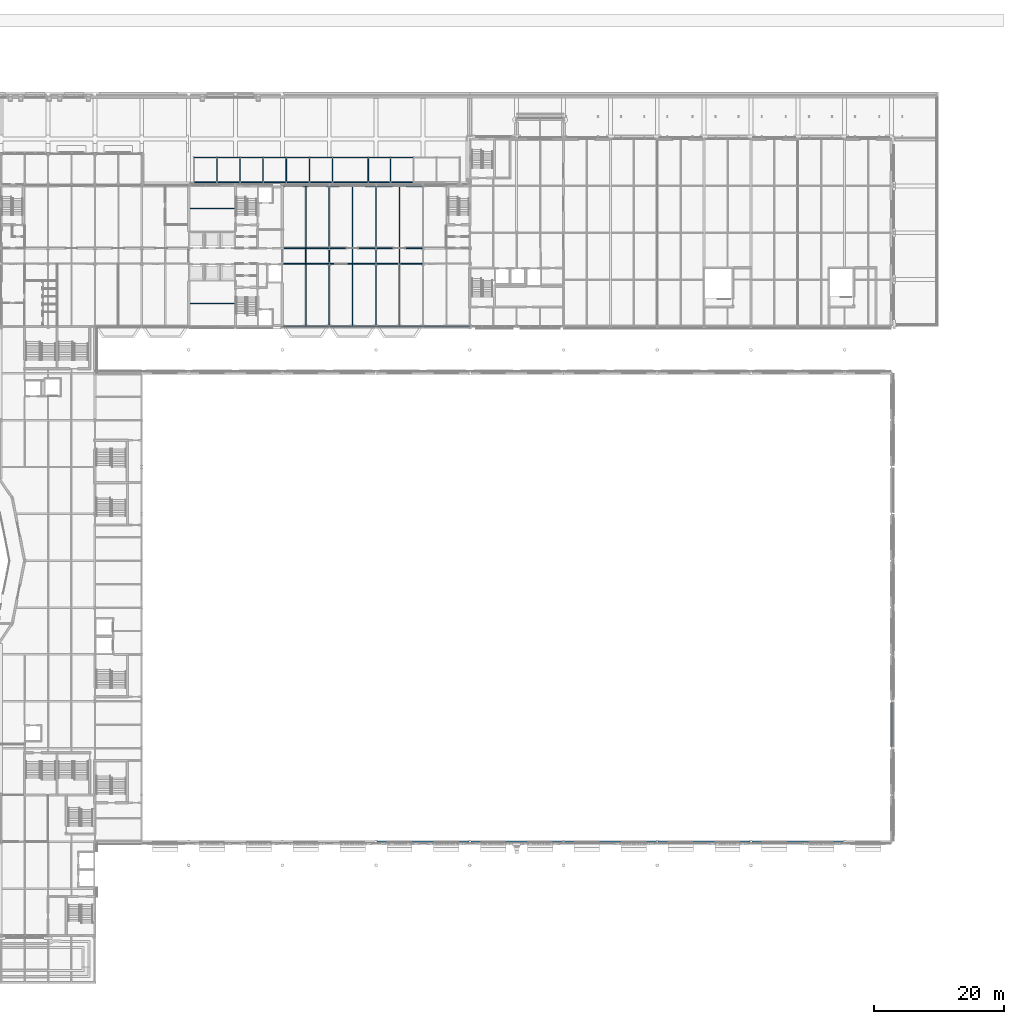
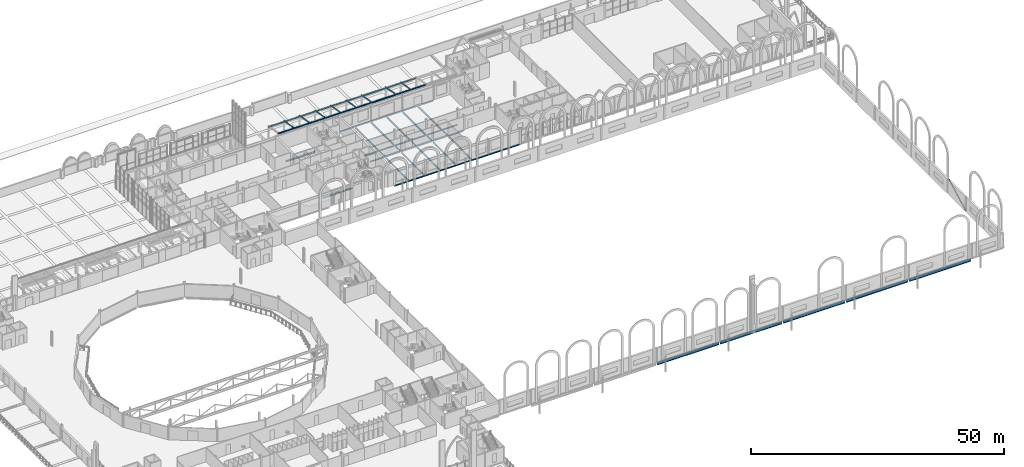
# One storey, part 54 of 143: 61 beams, 1 member.
"""IFC4 building model written with IfcOpenShell, lengths in metres."""

from ifc_helpers import new_model, si_unit, direction, frame, origin, origin_2d, place, context, subcontext, project, spatial, hollow_circle, i_section, extrude, material, material_profile, profile_set, type_object, element, save


model = new_model("IFC4")

# Units and contexts
model_context = context("Model", 3, precision=1e-05, world=origin(), true_north=direction((0.0, 1.0)))
body_context = subcontext(model_context, "Body", "Model", "MODEL_VIEW")
ifc_project = project(units=[si_unit("LENGTHUNIT", "METRE"), si_unit("AREAUNIT", "SQUARE_METRE"), si_unit("VOLUMEUNIT", "CUBIC_METRE"), si_unit("PLANEANGLEUNIT", "RADIAN"), si_unit("MASSUNIT", "GRAM", prefix="KILO")], contexts=[model_context])

# Site, building, storey
site_placement = place(None, origin())
site = spatial("IfcSite", under=ifc_project, at=site_placement, CompositionType="ELEMENT")
building_placement = place(site_placement, origin())
building = spatial("IfcBuilding", under=site, at=building_placement, Name="Kupolbacken Congress Centre", CompositionType="ELEMENT")
storey_placement = place(building_placement, frame((0.0, 0.0, 7.199951171875)))
storey = spatial("IfcBuildingStorey", under=building, at=storey_placement, Name="L02", CompositionType="ELEMENT", Elevation=7.199951171875)

# Beams
ifc_material_1 = material(Name="Steel S355", Category="steel")
ifc_material_profile_1 = material_profile(ifc_material_1, i_section(OverallWidth=0.10009765625, OverallDepth=0.199951171875, WebThickness=0.005615234375, FlangeThickness=0.008544921875, FilletRadius=0.011962890625, at=origin_2d()), Name="IPE 200")
ifc_profile_set_1 = profile_set([ifc_material_profile_1], Name="Steel S355")
beam_type_1 = type_object("IfcBeamType", Name="B01 beam IPE 200", PredefinedType="BEAM", material=ifc_profile_set_1)
beam_1_placement = place(storey_placement, frame((111.60009765625, 132.074951171875, -0.280029296875), z_axis=(0.0, 1.0, 0.0), x_axis=(-1.0, 0.0, 0.0)))
element("IfcBeam", 1, at=beam_1_placement, inside=storey, type_object=beam_type_1, Name="S/floor/T/L02/S056", PredefinedType="BEAM", context=body_context, shape_type="SweptSolid", body=[
    extrude(i_section(OverallWidth=0.10009765625, OverallDepth=0.199951171875, WebThickness=0.005615234375, FlangeThickness=0.008544921875, FilletRadius=0.011962890625, at=origin_2d()), origin(), (0.0, 0.0, 1.0), 2.25),
])
beam_2_placement = place(storey_placement, frame((115.199951171875, 132.21240234375, -0.280029296875), z_axis=(0.0, 1.0, 0.0), x_axis=(-1.0, 0.0, 0.0)))
element("IfcBeam", 2, at=beam_2_placement, inside=storey, type_object=beam_type_1, Name="S/floor/T/L02/S059", PredefinedType="BEAM", context=body_context, shape_type="SweptSolid", body=[
    extrude(i_section(OverallWidth=0.10009765625, OverallDepth=0.199951171875, WebThickness=0.005615234375, FlangeThickness=0.008544921875, FilletRadius=0.011962890625, at=origin_2d()), origin(), (0.0, 0.0, 1.0), 1.97509765625),
])
beam_3_placement = place(storey_placement, frame((118.800048828125, 132.074951171875, -0.280029296875), z_axis=(0.0, 1.0, 0.0), x_axis=(-1.0, 0.0, 0.0)))
element("IfcBeam", 3, at=beam_3_placement, inside=storey, type_object=beam_type_1, Name="S/floor/T/L02/S062", PredefinedType="BEAM", context=body_context, shape_type="SweptSolid", body=[
    extrude(i_section(OverallWidth=0.10009765625, OverallDepth=0.199951171875, WebThickness=0.005615234375, FlangeThickness=0.008544921875, FilletRadius=0.011962890625, at=origin_2d()), origin(), (0.0, 0.0, 1.0), 2.25),
])
beam_4_placement = place(storey_placement, frame((122.39990234375, 132.21240234375, -0.280029296875), z_axis=(0.0, 1.0, 0.0), x_axis=(-1.0, 0.0, 0.0)))
element("IfcBeam", 4, at=beam_4_placement, inside=storey, type_object=beam_type_1, Name="S/floor/T/L02/S065", PredefinedType="BEAM", context=body_context, shape_type="SweptSolid", body=[
    extrude(i_section(OverallWidth=0.10009765625, OverallDepth=0.199951171875, WebThickness=0.005615234375, FlangeThickness=0.008544921875, FilletRadius=0.011962890625, at=origin_2d()), origin(), (0.0, 0.0, 1.0), 1.97509765625),
])
beam_5_placement = place(storey_placement, frame((126.0, 132.074951171875, -0.280029296875), z_axis=(0.0, 1.0, 0.0), x_axis=(-1.0, 0.0, 0.0)))
element("IfcBeam", 5, at=beam_5_placement, inside=storey, type_object=beam_type_1, Name="S/floor/T/L02/S068", PredefinedType="BEAM", context=body_context, shape_type="SweptSolid", body=[
    extrude(i_section(OverallWidth=0.10009765625, OverallDepth=0.199951171875, WebThickness=0.005615234375, FlangeThickness=0.008544921875, FilletRadius=0.011962890625, at=origin_2d()), origin(), (0.0, 0.0, 1.0), 2.25),
])
for number, where, z_axis, x_axis, name in (
    (6, (94.39990234375, 144.550048828125, 3.68994140625), (1.0, 0.0, 0.0), (0.0, 1.0, 0.0), "Covered passage eaves beam"),
    (7, (94.39990234375, 148.35009765625, 2.989990234375), (1.0, 0.0, 0.0), (0.0, 1.0, 0.0), "Covered passage eaves beam"),
    (8, (97.949951171875, 144.550048828125, 3.68994140625), (1.0, 0.0, 0.0), (0.0, 1.0, 0.0), "Covered passage eaves beam"),
    (9, (97.949951171875, 148.35009765625, 2.989990234375), (1.0, 0.0, 0.0), (0.0, 1.0, 0.0), "Covered passage eaves beam"),
    (10, (101.5, 144.550048828125, 3.68994140625), (1.0, 0.0, 0.0), (0.0, 1.0, 0.0), "Covered passage eaves beam"),
    (11, (101.5, 148.35009765625, 2.989990234375), (1.0, 0.0, 0.0), (0.0, 1.0, 0.0), "Covered passage eaves beam"),
    (12, (105.050048828125, 144.550048828125, 3.68994140625), (1.0, 0.0, 0.0), (0.0, 1.0, 0.0), "Covered passage eaves beam"),
    (13, (105.050048828125, 148.35009765625, 2.989990234375), (1.0, 0.0, 0.0), (0.0, 1.0, 0.0), "Covered passage eaves beam"),
):
    element("IfcBeam", number, at=place(storey_placement, frame(where, z_axis=z_axis, x_axis=x_axis)), inside=storey, type_object=beam_type_1, Name=name, PredefinedType="BEAM", context=body_context, shape_type="SweptSolid", body=[
        extrude(i_section(OverallWidth=0.10009765625, OverallDepth=0.199951171875, WebThickness=0.005615234375, FlangeThickness=0.008544921875, FilletRadius=0.011962890625, at=origin_2d()), origin(), (0.0, 0.0, 1.0), 3.550048828125),
    ])
for number, where, z_axis, x_axis, name in (
    (14, (108.60009765625, 144.550048828125, 3.68994140625), (1.0, 0.0, 0.0), (0.0, 1.0, 0.0), "Covered passage eaves beam"),
    (15, (108.60009765625, 148.35009765625, 2.989990234375), (1.0, 0.0, 0.0), (0.0, 1.0, 0.0), "Covered passage eaves beam"),
):
    element("IfcBeam", number, at=place(storey_placement, frame(where, z_axis=z_axis, x_axis=x_axis)), inside=storey, type_object=beam_type_1, Name=name, PredefinedType="BEAM", context=body_context, shape_type="SweptSolid", body=[
        extrude(i_section(OverallWidth=0.10009765625, OverallDepth=0.199951171875, WebThickness=0.005615234375, FlangeThickness=0.008544921875, FilletRadius=0.011962890625, at=origin_2d()), origin(), (0.0, 0.0, 1.0), 3.5498046875),
    ])
for number, where, z_axis, x_axis, name in (
    (16, (112.14990234375, 144.550048828125, 3.68994140625), (1.0, 0.0, 0.0), (0.0, 1.0, 0.0), "Covered passage eaves beam"),
    (17, (112.14990234375, 148.35009765625, 2.989990234375), (1.0, 0.0, 0.0), (0.0, 1.0, 0.0), "Covered passage eaves beam"),
):
    element("IfcBeam", number, at=place(storey_placement, frame(where, z_axis=z_axis, x_axis=x_axis)), inside=storey, type_object=beam_type_1, Name=name, PredefinedType="BEAM", context=body_context, shape_type="SweptSolid", body=[
        extrude(i_section(OverallWidth=0.10009765625, OverallDepth=0.199951171875, WebThickness=0.005615234375, FlangeThickness=0.008544921875, FilletRadius=0.011962890625, at=origin_2d()), origin(), (0.0, 0.0, 1.0), 3.550048828125),
    ])
for number, where, z_axis, x_axis, name in (
    (18, (121.199951171875, 144.550048828125, 3.68994140625), (1.0, 0.0, 0.0), (0.0, 1.0, 0.0), "Covered passage eaves beam"),
    (19, (121.199951171875, 148.35009765625, 2.989990234375), (1.0, 0.0, 0.0), (0.0, 1.0, 0.0), "Covered passage eaves beam"),
):
    element("IfcBeam", number, at=place(storey_placement, frame(where, z_axis=z_axis, x_axis=x_axis)), inside=storey, type_object=beam_type_1, Name=name, PredefinedType="BEAM", context=body_context, shape_type="SweptSolid", body=[
        extrude(i_section(OverallWidth=0.10009765625, OverallDepth=0.199951171875, WebThickness=0.005615234375, FlangeThickness=0.008544921875, FilletRadius=0.011962890625, at=origin_2d()), origin(), (0.0, 0.0, 1.0), 3.400146484375),
    ])
for number, where, z_axis, x_axis, name in (
    (20, (124.60009765625, 144.550048828125, 3.68994140625), (1.0, 0.0, 0.0), (0.0, 1.0, 0.0), "Covered passage eaves beam"),
    (21, (124.60009765625, 148.35009765625, 2.989990234375), (1.0, 0.0, 0.0), (0.0, 1.0, 0.0), "Covered passage eaves beam"),
):
    element("IfcBeam", number, at=place(storey_placement, frame(where, z_axis=z_axis, x_axis=x_axis)), inside=storey, type_object=beam_type_1, Name=name, PredefinedType="BEAM", context=body_context, shape_type="SweptSolid", body=[
        extrude(i_section(OverallWidth=0.10009765625, OverallDepth=0.199951171875, WebThickness=0.005615234375, FlangeThickness=0.008544921875, FilletRadius=0.011962890625, at=origin_2d()), origin(), (0.0, 0.0, 1.0), 3.5498046875),
    ])
for number, where, z_axis, x_axis, name in (
    (22, (97.949951171875, 144.550048828125, 3.89013671875), (0.0, 0.983444596616, -0.181209065409), (-1.0, 0.0, 0.0), "Covered passage rafter"),
    (23, (101.5, 144.550048828125, 3.89013671875), (0.0, 0.983444596616, -0.181209065409), (-1.0, 0.0, 0.0), "Covered passage rafter"),
    (24, (105.050048828125, 144.550048828125, 3.89013671875), (0.0, 0.983444596616, -0.181209065409), (-1.0, 0.0, 0.0), "Covered passage rafter"),
    (25, (108.60009765625, 144.550048828125, 3.89013671875), (0.0, 0.983444596616, -0.181209065409), (-1.0, 0.0, 0.0), "Covered passage rafter"),
    (26, (112.14990234375, 144.550048828125, 3.89013671875), (0.0, 0.983444596616, -0.181209065409), (-1.0, 0.0, 0.0), "Covered passage rafter"),
    (27, (115.699951171875, 144.550048828125, 3.89013671875), (0.0, 0.983444596616, -0.181209065409), (-1.0, 0.0, 0.0), "Covered passage rafter"),
    (28, (121.199951171875, 144.550048828125, 3.89013671875), (0.0, 0.983444596616, -0.181209065409), (-1.0, 0.0, 0.0), "Covered passage rafter"),
    (29, (124.60009765625, 144.550048828125, 3.89013671875), (0.0, 0.983444596616, -0.181209065409), (-1.0, 0.0, 0.0), "Covered passage rafter"),
):
    element("IfcBeam", number, at=place(storey_placement, frame(where, z_axis=z_axis, x_axis=x_axis)), inside=storey, type_object=beam_type_1, Name=name, PredefinedType="BEAM", context=body_context, shape_type="SweptSolid", body=[
        extrude(i_section(OverallWidth=0.10009765625, OverallDepth=0.199951171875, WebThickness=0.005615234375, FlangeThickness=0.008544921875, FilletRadius=0.011962890625, at=origin_2d()), origin(), (0.0, 0.0, 1.0), 3.864013671875),
    ])
ifc_material_2 = material(Name="Steel S355", Category="steel")
ifc_material_profile_2 = material_profile(ifc_material_2, i_section(OverallWidth=0.1201171875, OverallDepth=0.239990234375, WebThickness=0.006103515625, FlangeThickness=0.009765625, FilletRadius=0.014892578125, at=origin_2d()), Name="IPE 240")
ifc_profile_set_2 = profile_set([ifc_material_profile_2], Name="Steel S355")
beam_type_2 = type_object("IfcBeamType", Name="B02 beam IPE 240", PredefinedType="BEAM", material=ifc_profile_set_2)
for number, where, z_axis, x_axis, name in (
    (30, (115.699951171875, 144.550048828125, 3.670166015625), (1.0, 0.0, 0.0), (0.0, 1.0, 0.0), "Covered passage eaves beam"),
    (31, (115.699951171875, 148.35009765625, 2.969970703125), (1.0, 0.0, 0.0), (0.0, 1.0, 0.0), "Covered passage eaves beam"),
):
    element("IfcBeam", number, at=place(storey_placement, frame(where, z_axis=z_axis, x_axis=x_axis)), inside=storey, type_object=beam_type_2, Name=name, PredefinedType="BEAM", context=body_context, shape_type="SweptSolid", body=[
        extrude(i_section(OverallWidth=0.1201171875, OverallDepth=0.239990234375, WebThickness=0.006103515625, FlangeThickness=0.009765625, FilletRadius=0.014892578125, at=origin_2d()), origin(), (0.0, 0.0, 1.0), 5.5),
    ])
ifc_material_3 = material(Name="Steel S355", Category="steel")
ifc_material_profile_3 = material_profile(ifc_material_3, i_section(OverallWidth=0.14990234375, OverallDepth=0.300048828125, WebThickness=0.007080078125, FlangeThickness=0.0107421875, FilletRadius=0.014892578125, at=origin_2d()), Name="IPE 300")
ifc_profile_set_3 = profile_set([ifc_material_profile_3], Name="Steel S355")
beam_type_3 = type_object("IfcBeamType", Name="B04 beam IPE 300", PredefinedType="BEAM", material=ifc_profile_set_3)
beam_6_placement = place(storey_placement, frame((108.199951171875, 122.39990234375, -0.329833984375), z_axis=(1.0, 0.0, 0.0), x_axis=(0.0, 1.0, 0.0)))
element("IfcBeam", 32, at=beam_6_placement, inside=storey, type_object=beam_type_3, Name="S/floor/T/L02/R003", PredefinedType="BEAM", context=body_context, shape_type="SweptSolid", body=[
    extrude(i_section(OverallWidth=0.14990234375, OverallDepth=0.300048828125, WebThickness=0.007080078125, FlangeThickness=0.0107421875, FilletRadius=0.014892578125, at=origin_2d()), origin(), (0.0, 0.0, 1.0), 6.989501953125),
])
beam_7_placement = place(storey_placement, frame((115.21044921875, 122.39990234375, -0.329833984375), z_axis=(1.0, 0.0, 0.0), x_axis=(0.0, 1.0, 0.0)))
element("IfcBeam", 33, at=beam_7_placement, inside=storey, type_object=beam_type_3, Name="S/floor/T/L02/R004", PredefinedType="BEAM", context=body_context, shape_type="SweptSolid", body=[
    extrude(i_section(OverallWidth=0.14990234375, OverallDepth=0.300048828125, WebThickness=0.007080078125, FlangeThickness=0.0107421875, FilletRadius=0.014892578125, at=origin_2d()), origin(), (0.0, 0.0, 1.0), 7.178955078125),
])
beam_8_placement = place(storey_placement, frame((122.410400390625, 122.39990234375, -0.329833984375), z_axis=(1.0, 0.0, 0.0), x_axis=(0.0, 1.0, 0.0)))
element("IfcBeam", 34, at=beam_8_placement, inside=storey, type_object=beam_type_3, Name="S/floor/T/L02/R005", PredefinedType="BEAM", context=body_context, shape_type="SweptSolid", body=[
    extrude(i_section(OverallWidth=0.14990234375, OverallDepth=0.300048828125, WebThickness=0.007080078125, FlangeThickness=0.0107421875, FilletRadius=0.014892578125, at=origin_2d()), origin(), (0.0, 0.0, 1.0), 7.17919921875),
])
beam_9_placement = place(storey_placement, frame((129.610595703125, 122.39990234375, -0.329833984375), z_axis=(1.0, 0.0, 0.0), x_axis=(0.0, 1.0, 0.0)))
element("IfcBeam", 35, at=beam_9_placement, inside=storey, type_object=beam_type_3, Name="S/floor/T/L02/R006", PredefinedType="BEAM", context=body_context, shape_type="SweptSolid", body=[
    extrude(i_section(OverallWidth=0.14990234375, OverallDepth=0.300048828125, WebThickness=0.007080078125, FlangeThickness=0.0107421875, FilletRadius=0.014892578125, at=origin_2d()), origin(), (0.0, 0.0, 1.0), 7.182373046875),
])
beam_10_placement = place(storey_placement, frame((108.199951171875, 132.0, -0.329833984375), z_axis=(1.0, 0.0, 0.0), x_axis=(0.0, 1.0, 0.0)))
element("IfcBeam", 36, at=beam_10_placement, inside=storey, type_object=beam_type_3, Name="S/floor/T/L02/R011", PredefinedType="BEAM", context=body_context, shape_type="SweptSolid", body=[
    extrude(i_section(OverallWidth=0.14990234375, OverallDepth=0.300048828125, WebThickness=0.007080078125, FlangeThickness=0.0107421875, FilletRadius=0.014892578125, at=origin_2d()), origin(), (0.0, 0.0, 1.0), 6.983642578125),
])
beam_11_placement = place(storey_placement, frame((115.21630859375, 132.0, -0.329833984375), z_axis=(1.0, 0.0, 0.0), x_axis=(0.0, 1.0, 0.0)))
element("IfcBeam", 37, at=beam_11_placement, inside=storey, type_object=beam_type_3, Name="S/floor/T/L02/R012", PredefinedType="BEAM", context=body_context, shape_type="SweptSolid", body=[
    extrude(i_section(OverallWidth=0.14990234375, OverallDepth=0.300048828125, WebThickness=0.007080078125, FlangeThickness=0.0107421875, FilletRadius=0.014892578125, at=origin_2d()), origin(), (0.0, 0.0, 1.0), 7.167236328125),
])
beam_12_placement = place(storey_placement, frame((122.41650390625, 132.0, -0.329833984375), z_axis=(1.0, 0.0, 0.0), x_axis=(0.0, 1.0, 0.0)))
element("IfcBeam", 38, at=beam_12_placement, inside=storey, type_object=beam_type_3, Name="S/floor/T/L02/R013", PredefinedType="BEAM", context=body_context, shape_type="SweptSolid", body=[
    extrude(i_section(OverallWidth=0.14990234375, OverallDepth=0.300048828125, WebThickness=0.007080078125, FlangeThickness=0.0107421875, FilletRadius=0.014892578125, at=origin_2d()), origin(), (0.0, 0.0, 1.0), 7.1669921875),
])
beam_13_placement = place(storey_placement, frame((108.199951171875, 134.39990234375, -0.329833984375), z_axis=(1.0, 0.0, 0.0), x_axis=(0.0, 1.0, 0.0)))
element("IfcBeam", 39, at=beam_13_placement, inside=storey, type_object=beam_type_3, Name="S/floor/T/L02/R019", PredefinedType="BEAM", context=body_context, shape_type="SweptSolid", body=[
    extrude(i_section(OverallWidth=0.14990234375, OverallDepth=0.300048828125, WebThickness=0.007080078125, FlangeThickness=0.0107421875, FilletRadius=0.014892578125, at=origin_2d()), origin(), (0.0, 0.0, 1.0), 6.983642578125),
])
beam_14_placement = place(storey_placement, frame((115.21630859375, 134.39990234375, -0.329833984375), z_axis=(1.0, 0.0, 0.0), x_axis=(0.0, 1.0, 0.0)))
element("IfcBeam", 40, at=beam_14_placement, inside=storey, type_object=beam_type_3, Name="S/floor/T/L02/R020", PredefinedType="BEAM", context=body_context, shape_type="SweptSolid", body=[
    extrude(i_section(OverallWidth=0.14990234375, OverallDepth=0.300048828125, WebThickness=0.007080078125, FlangeThickness=0.0107421875, FilletRadius=0.014892578125, at=origin_2d()), origin(), (0.0, 0.0, 1.0), 7.167236328125),
])
beam_15_placement = place(storey_placement, frame((122.41650390625, 134.39990234375, -0.329833984375), z_axis=(1.0, 0.0, 0.0), x_axis=(0.0, 1.0, 0.0)))
element("IfcBeam", 41, at=beam_15_placement, inside=storey, type_object=beam_type_3, Name="S/floor/T/L02/R021", PredefinedType="BEAM", context=body_context, shape_type="SweptSolid", body=[
    extrude(i_section(OverallWidth=0.14990234375, OverallDepth=0.300048828125, WebThickness=0.007080078125, FlangeThickness=0.0107421875, FilletRadius=0.014892578125, at=origin_2d()), origin(), (0.0, 0.0, 1.0), 7.1669921875),
])
beam_16_placement = place(storey_placement, frame((108.199951171875, 144.0, -0.329833984375), z_axis=(1.0, 0.0, 0.0), x_axis=(0.0, 1.0, 0.0)))
element("IfcBeam", 42, at=beam_16_placement, inside=storey, type_object=beam_type_3, Name="S/floor/T/L02/R027", PredefinedType="BEAM", context=body_context, shape_type="SweptSolid", body=[
    extrude(i_section(OverallWidth=0.14990234375, OverallDepth=0.300048828125, WebThickness=0.007080078125, FlangeThickness=0.0107421875, FilletRadius=0.014892578125, at=origin_2d()), origin(), (0.0, 0.0, 1.0), 6.989501953125),
])
beam_17_placement = place(storey_placement, frame((115.21044921875, 144.0, -0.329833984375), z_axis=(1.0, 0.0, 0.0), x_axis=(0.0, 1.0, 0.0)))
element("IfcBeam", 43, at=beam_17_placement, inside=storey, type_object=beam_type_3, Name="S/floor/T/L02/R028", PredefinedType="BEAM", context=body_context, shape_type="SweptSolid", body=[
    extrude(i_section(OverallWidth=0.14990234375, OverallDepth=0.300048828125, WebThickness=0.007080078125, FlangeThickness=0.0107421875, FilletRadius=0.014892578125, at=origin_2d()), origin(), (0.0, 0.0, 1.0), 7.178955078125),
])
beam_18_placement = place(storey_placement, frame((122.410400390625, 144.0, -0.329833984375), z_axis=(1.0, 0.0, 0.0), x_axis=(0.0, 1.0, 0.0)))
element("IfcBeam", 44, at=beam_18_placement, inside=storey, type_object=beam_type_3, Name="S/floor/T/L02/R029", PredefinedType="BEAM", context=body_context, shape_type="SweptSolid", body=[
    extrude(i_section(OverallWidth=0.14990234375, OverallDepth=0.300048828125, WebThickness=0.007080078125, FlangeThickness=0.0107421875, FilletRadius=0.014892578125, at=origin_2d()), origin(), (0.0, 0.0, 1.0), 7.17919921875),
])
ifc_material_4 = material(Name="Steel S355", Category="steel")
ifc_material_profile_4 = material_profile(ifc_material_4, i_section(OverallWidth=0.169921875, OverallDepth=0.360107421875, WebThickness=0.008056640625, FlangeThickness=0.0126953125, FilletRadius=0.01806640625, at=origin_2d()), Name="IPE 360")
ifc_profile_set_4 = profile_set([ifc_material_profile_4], Name="Steel S355")
beam_type_4 = type_object("IfcBeamType", Name="B06 beam IPE 360", PredefinedType="BEAM", material=ifc_profile_set_4)
for number, where, z_axis, x_axis, name in (
    (45, (93.800048828125, 125.89990234375, -0.35986328125), (1.0, 0.0, 0.0), (0.0, 1.0, 0.0), "S/floor/T/L02/RB125"),
    (46, (93.800048828125, 140.5, -0.35986328125), (1.0, 0.0, 0.0), (0.0, 1.0, 0.0), "S/floor/T/L02/RB140"),
):
    element("IfcBeam", number, at=place(storey_placement, frame(where, z_axis=z_axis, x_axis=x_axis)), inside=storey, type_object=beam_type_4, Name=name, PredefinedType="BEAM", context=body_context, shape_type="SweptSolid", body=[
        extrude(i_section(OverallWidth=0.169921875, OverallDepth=0.360107421875, WebThickness=0.008056640625, FlangeThickness=0.0126953125, FilletRadius=0.01806640625, at=origin_2d()), origin(), (0.0, 0.0, 1.0), 6.824951171875),
    ])
ifc_material_5 = material(Name="Steel S355", Category="steel")
ifc_material_profile_5 = material_profile(ifc_material_5, i_section(OverallWidth=0.179931640625, OverallDepth=0.39990234375, WebThickness=0.008544921875, FlangeThickness=0.013427734375, FilletRadius=0.02099609375, at=origin_2d()), Name="IPE 400")
ifc_profile_set_5 = profile_set([ifc_material_profile_5], Name="Steel S355")
beam_type_5 = type_object("IfcBeamType", Name="B07 beam IPE 400", PredefinedType="BEAM", material=ifc_profile_set_5)
for number, where, z_axis, x_axis, name in (
    (47, (111.60009765625, 122.47509765625, -0.3798828125), (0.0, 1.0, 0.0), (-1.0, 0.0, 0.0), "S/floor/T/L02/S055"),
    (48, (111.60009765625, 134.47509765625, -0.3798828125), (0.0, 1.0, 0.0), (-1.0, 0.0, 0.0), "S/floor/T/L02/S057"),
):
    element("IfcBeam", number, at=place(storey_placement, frame(where, z_axis=z_axis, x_axis=x_axis)), inside=storey, type_object=beam_type_5, Name=name, PredefinedType="BEAM", context=body_context, shape_type="SweptSolid", body=[
        extrude(i_section(OverallWidth=0.179931640625, OverallDepth=0.39990234375, WebThickness=0.008544921875, FlangeThickness=0.013427734375, FilletRadius=0.02099609375, at=origin_2d()), origin(), (0.0, 0.0, 1.0), 9.449951171875),
    ])
beam_19_placement = place(storey_placement, frame((115.199951171875, 122.615966796875, -0.3798828125), z_axis=(0.0, 1.0, 0.0), x_axis=(-1.0, 0.0, 0.0)))
element("IfcBeam", 49, at=beam_19_placement, inside=storey, type_object=beam_type_5, Name="S/floor/T/L02/S058", PredefinedType="BEAM", context=body_context, shape_type="SweptSolid", body=[
    extrude(i_section(OverallWidth=0.179931640625, OverallDepth=0.39990234375, WebThickness=0.008544921875, FlangeThickness=0.013427734375, FilletRadius=0.02099609375, at=origin_2d()), origin(), (0.0, 0.0, 1.0), 9.171630859375),
])
beam_20_placement = place(storey_placement, frame((115.199951171875, 134.612548828125, -0.3798828125), z_axis=(0.0, 1.0, 0.0), x_axis=(-1.0, 0.0, 0.0)))
element("IfcBeam", 50, at=beam_20_placement, inside=storey, type_object=beam_type_5, Name="S/floor/T/L02/S060", PredefinedType="BEAM", context=body_context, shape_type="SweptSolid", body=[
    extrude(i_section(OverallWidth=0.179931640625, OverallDepth=0.39990234375, WebThickness=0.008544921875, FlangeThickness=0.013427734375, FilletRadius=0.02099609375, at=origin_2d()), origin(), (0.0, 0.0, 1.0), 9.17138671875),
])
for number, where, z_axis, x_axis, name in (
    (51, (118.800048828125, 122.47509765625, -0.3798828125), (0.0, 1.0, 0.0), (-1.0, 0.0, 0.0), "S/floor/T/L02/S061"),
    (52, (118.800048828125, 134.47509765625, -0.3798828125), (0.0, 1.0, 0.0), (-1.0, 0.0, 0.0), "S/floor/T/L02/S063"),
):
    element("IfcBeam", number, at=place(storey_placement, frame(where, z_axis=z_axis, x_axis=x_axis)), inside=storey, type_object=beam_type_5, Name=name, PredefinedType="BEAM", context=body_context, shape_type="SweptSolid", body=[
        extrude(i_section(OverallWidth=0.179931640625, OverallDepth=0.39990234375, WebThickness=0.008544921875, FlangeThickness=0.013427734375, FilletRadius=0.02099609375, at=origin_2d()), origin(), (0.0, 0.0, 1.0), 9.449951171875),
    ])
beam_21_placement = place(storey_placement, frame((122.39990234375, 122.615966796875, -0.3798828125), z_axis=(0.0, 1.0, 0.0), x_axis=(-1.0, 0.0, 0.0)))
element("IfcBeam", 53, at=beam_21_placement, inside=storey, type_object=beam_type_5, Name="S/floor/T/L02/S064", PredefinedType="BEAM", context=body_context, shape_type="SweptSolid", body=[
    extrude(i_section(OverallWidth=0.179931640625, OverallDepth=0.39990234375, WebThickness=0.008544921875, FlangeThickness=0.013427734375, FilletRadius=0.02099609375, at=origin_2d()), origin(), (0.0, 0.0, 1.0), 9.171630859375),
])
beam_22_placement = place(storey_placement, frame((122.39990234375, 134.612548828125, -0.3798828125), z_axis=(0.0, 1.0, 0.0), x_axis=(-1.0, 0.0, 0.0)))
element("IfcBeam", 54, at=beam_22_placement, inside=storey, type_object=beam_type_5, Name="S/floor/T/L02/S066", PredefinedType="BEAM", context=body_context, shape_type="SweptSolid", body=[
    extrude(i_section(OverallWidth=0.179931640625, OverallDepth=0.39990234375, WebThickness=0.008544921875, FlangeThickness=0.013427734375, FilletRadius=0.02099609375, at=origin_2d()), origin(), (0.0, 0.0, 1.0), 9.17138671875),
])
for number, where, z_axis, x_axis, name in (
    (55, (126.0, 122.47509765625, -0.3798828125), (0.0, 1.0, 0.0), (-1.0, 0.0, 0.0), "S/floor/T/L02/S067"),
    (56, (126.0, 134.47509765625, -0.3798828125), (0.0, 1.0, 0.0), (-1.0, 0.0, 0.0), "S/floor/T/L02/S069"),
):
    element("IfcBeam", number, at=place(storey_placement, frame(where, z_axis=z_axis, x_axis=x_axis)), inside=storey, type_object=beam_type_5, Name=name, PredefinedType="BEAM", context=body_context, shape_type="SweptSolid", body=[
        extrude(i_section(OverallWidth=0.179931640625, OverallDepth=0.39990234375, WebThickness=0.008544921875, FlangeThickness=0.013427734375, FilletRadius=0.02099609375, at=origin_2d()), origin(), (0.0, 0.0, 1.0), 9.449951171875),
    ])
ifc_material_6 = material(Name="Steel S355", Category="steel")
ifc_material_profile_6 = material_profile(ifc_material_6, i_section(OverallWidth=0.300048828125, OverallDepth=0.60009765625, WebThickness=0.015380859375, FlangeThickness=0.030029296875, FilletRadius=0.027099609375, at=origin_2d()), Name="HEB 600")
ifc_profile_set_6 = profile_set([ifc_material_profile_6], Name="Steel S355")
beam_type_6 = type_object("IfcBeamType", Name="B15 beam HEB 600", PredefinedType="BEAM", material=ifc_profile_set_6)
beam_23_placement = place(storey_placement, frame((122.550048828125, 43.199951171875, -0.300048828125), z_axis=(1.0, 0.0, 0.0), x_axis=(0.0, 1.0, 0.0)))
element("IfcBeam", 57, at=beam_23_placement, inside=storey, type_object=beam_type_6, Name="Edge girder", PredefinedType="BEAM", context=body_context, shape_type="SweptSolid", body=[
    extrude(i_section(OverallWidth=0.300048828125, OverallDepth=0.60009765625, WebThickness=0.015380859375, FlangeThickness=0.030029296875, FilletRadius=0.027099609375, at=origin_2d()), origin(), (0.0, 0.0, 1.0), 14.099853515625),
])
beam_24_placement = place(storey_placement, frame((136.949951171875, 43.199951171875, -0.300048828125), z_axis=(1.0, 0.0, 0.0), x_axis=(0.0, 1.0, 0.0)))
element("IfcBeam", 58, at=beam_24_placement, inside=storey, type_object=beam_type_6, Name="Edge girder", PredefinedType="BEAM", context=body_context, shape_type="SweptSolid", body=[
    extrude(i_section(OverallWidth=0.300048828125, OverallDepth=0.60009765625, WebThickness=0.015380859375, FlangeThickness=0.030029296875, FilletRadius=0.027099609375, at=origin_2d()), origin(), (0.0, 0.0, 1.0), 14.10009765625),
])
beam_25_placement = place(storey_placement, frame((151.35009765625, 43.199951171875, -0.300048828125), z_axis=(1.0, 0.0, 0.0), x_axis=(0.0, 1.0, 0.0)))
element("IfcBeam", 59, at=beam_25_placement, inside=storey, type_object=beam_type_6, Name="Edge girder", PredefinedType="BEAM", context=body_context, shape_type="SweptSolid", body=[
    extrude(i_section(OverallWidth=0.300048828125, OverallDepth=0.60009765625, WebThickness=0.015380859375, FlangeThickness=0.030029296875, FilletRadius=0.027099609375, at=origin_2d()), origin(), (0.0, 0.0, 1.0), 14.099853515625),
])
for number, where, z_axis, x_axis, name in (
    (60, (165.75, 43.199951171875, -0.300048828125), (1.0, 0.0, 0.0), (0.0, 1.0, 0.0), "Edge girder"),
    (61, (180.14990234375, 43.199951171875, -0.300048828125), (1.0, 0.0, 0.0), (0.0, 1.0, 0.0), "Edge girder"),
):
    element("IfcBeam", number, at=place(storey_placement, frame(where, z_axis=z_axis, x_axis=x_axis)), inside=storey, type_object=beam_type_6, Name=name, PredefinedType="BEAM", context=body_context, shape_type="SweptSolid", body=[
        extrude(i_section(OverallWidth=0.300048828125, OverallDepth=0.60009765625, WebThickness=0.015380859375, FlangeThickness=0.030029296875, FilletRadius=0.027099609375, at=origin_2d()), origin(), (0.0, 0.0, 1.0), 14.10009765625),
    ])

# Member
ifc_material_7 = material(Name="Steel S355", Category="steel")
ifc_material_profile_7 = material_profile(ifc_material_7, hollow_circle(Radius=0.136474609375, WallThickness=0.012451171875, at=origin_2d()), Name="CHS 273 x 12.5")
ifc_profile_set_7 = profile_set([ifc_material_profile_7], Name="Steel S355")
member_type = type_object("IfcMemberType", Name="M08 brace CHS 273 x 12.5", PredefinedType="BRACE", material=ifc_profile_set_7)
member_placement = place(storey_placement, frame((201.60009765625, 57.844970703125, 0.0), z_axis=(0.0, 0.881180466795, 0.472780059793), x_axis=(-1.0, 0.0, 0.0)))
element("IfcMember", 62, at=member_placement, inside=storey, type_object=member_type, Name="S/brace/E/03/03", PredefinedType="BRACE", context=body_context, shape_type="SweptSolid", body=[
    extrude(hollow_circle(Radius=0.136474609375, WallThickness=0.012451171875, at=origin_2d()), origin(), (0.0, 0.0, 1.0), 7.61474609375),
])

save(model, "model.ifc")
